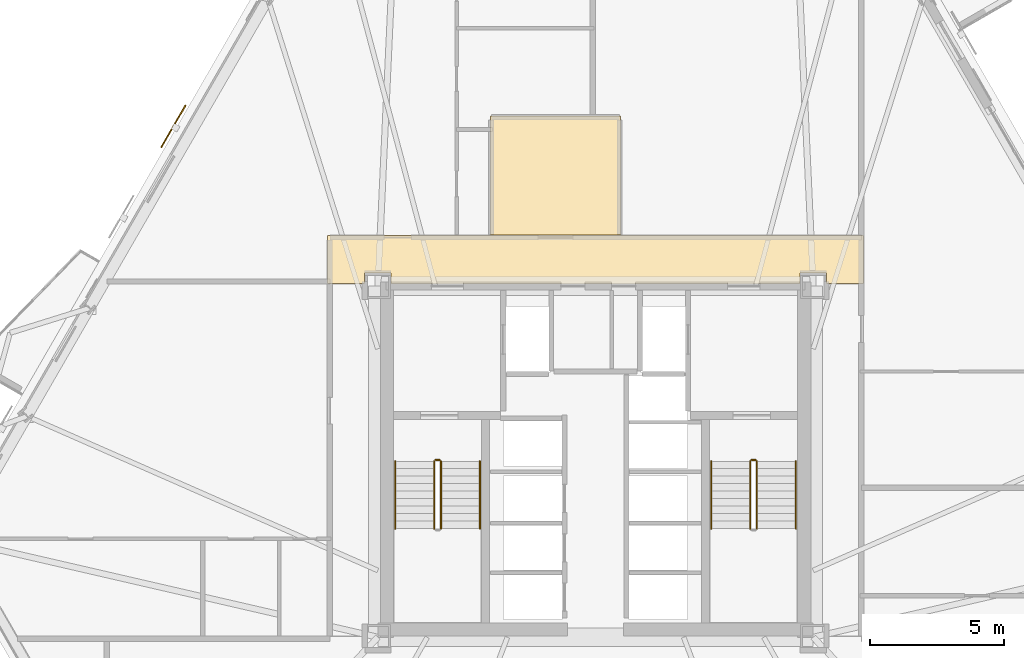
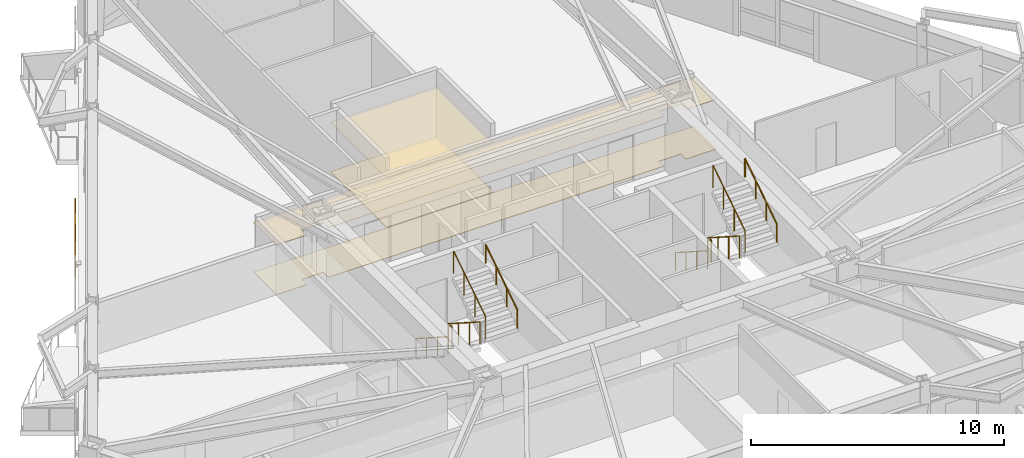
# One storey, part 14 of 15: 10 railings, 4 coverings, 1 shading device.
"""IFC4 building model written with IfcOpenShell, lengths in metres."""

from ifc_helpers import new_model, si_unit, direction, frame, origin, origin_2d, place, context, subcontext, project, spatial, polyline, rectangle, circle, outline, extrude, material, layer, layer_set, type_object, element, save


model = new_model("IFC4")

# Units and contexts
model_context = context("Model", 3, precision=1e-05, world=origin(), true_north=direction((0.0, 1.0)))
body_context = subcontext(model_context, "Body", "Model", "MODEL_VIEW")
ifc_project = project(units=[si_unit("LENGTHUNIT", "METRE"), si_unit("AREAUNIT", "SQUARE_METRE"), si_unit("VOLUMEUNIT", "CUBIC_METRE"), si_unit("PLANEANGLEUNIT", "RADIAN"), si_unit("MASSUNIT", "GRAM", prefix="KILO")], contexts=[model_context])

# Site, building, storey
site_placement = place(None, origin())
site = spatial("IfcSite", under=ifc_project, at=site_placement, CompositionType="ELEMENT")
building_placement = place(site_placement, origin())
building = spatial("IfcBuilding", under=site, at=building_placement, Name="Oramaril Tower", CompositionType="ELEMENT")
storey_placement = place(building_placement, frame((0.0, 0.0, 48.89990234375)))
storey = spatial("IfcBuildingStorey", under=building, at=storey_placement, Name="L12", CompositionType="ELEMENT", Elevation=48.89990234375)

# Coverings
ifc_material_1 = material(Name="Mineral Fibre Acoustic Ceiling")
ifc_layer_1 = layer(ifc_material_1, 0.02001953125)
ifc_layer_set_1 = layer_set([ifc_layer_1], Name="CVT-CEIL")
covering_type_1 = type_object("IfcCoveringType", Name="CVT-CEIL", PredefinedType="CEILING", material=ifc_layer_set_1)
covering_1_placement = place(storey_placement, frame((0.0, 0.0, 2.400146484375)))
element("IfcCovering", 1, at=covering_1_placement, inside=storey, type_object=covering_type_1, Name="L12 Acoustic Suspended Ceiling 2", PredefinedType="CEILING", context=body_context, shape_type="SweptSolid", body=[
    extrude(outline(polyline([(47.530029296875, 24.239990234375), (46.14501953125, 24.239990234375), (46.14501953125, 24.64501953125), (45.155029296875, 24.64501953125), (45.155029296875, 24.25), (29.844970703125, 24.25), (29.844970703125, 24.64501953125), (28.85498046875, 24.64501953125), (28.85498046875, 24.239990234375), (27.469970703125, 24.239990234375), (27.469970703125, 26.050048828125), (47.530029296875, 26.050048828125), (47.530029296875, 24.239990234375)])), origin(), (0.0, 0.0, 1.0), 0.02001953125),
])
covering_2_placement = place(storey_placement, frame((0.0, 0.0, 2.400146484375)))
element("IfcCovering", 2, at=covering_2_placement, inside=storey, type_object=covering_type_1, Name="L12 Acoustic Suspended Ceiling 5", PredefinedType="CEILING", context=body_context, shape_type="SweptSolid", body=[
    extrude(outline(polyline([(38.44189453125, 30.511962890625), (38.44189453125, 26.070068359375), (33.55810546875, 26.070068359375), (33.55810546875, 30.511962890625), (38.44189453125, 30.511962890625)])), origin(), (0.0, 0.0, 1.0), 0.02001953125),
])
ifc_material_2 = material(Name="Honed Quartzite Stone Flooring", Category="masonry")
ifc_layer_2 = layer(ifc_material_2, 0.02490234375)
ifc_layer_set_2 = layer_set([ifc_layer_2], Name="CVT-FLR")
covering_type_2 = type_object("IfcCoveringType", Name="CVT-FLR", PredefinedType="FLOORING", material=ifc_layer_set_2)
covering_3_placement = place(storey_placement, origin())
element("IfcCovering", 3, at=covering_3_placement, inside=storey, type_object=covering_type_2, Name="L12 Honed Stone Floor Finish 2", PredefinedType="FLOORING", context=body_context, shape_type="SweptSolid", body=[
    extrude(outline(polyline([(47.530029296875, 24.239990234375), (46.14501953125, 24.239990234375), (46.14501953125, 24.64501953125), (45.155029296875, 24.64501953125), (45.155029296875, 24.25), (29.844970703125, 24.25), (29.844970703125, 24.64501953125), (28.85498046875, 24.64501953125), (28.85498046875, 24.239990234375), (27.469970703125, 24.239990234375), (27.469970703125, 26.050048828125), (47.530029296875, 26.050048828125), (47.530029296875, 24.239990234375)])), origin(), (0.0, 0.0, 1.0), 0.025146484375),
])
covering_4_placement = place(storey_placement, origin())
element("IfcCovering", 4, at=covering_4_placement, inside=storey, type_object=covering_type_2, Name="L12 Honed Stone Floor Finish 5", PredefinedType="FLOORING", context=body_context, shape_type="SweptSolid", body=[
    extrude(outline(polyline([(38.44189453125, 30.511962890625), (38.44189453125, 26.070068359375), (33.55810546875, 26.070068359375), (33.55810546875, 30.511962890625), (38.44189453125, 30.511962890625)])), origin(), (0.0, 0.0, 1.0), 0.025146484375),
])

# Railings
ifc_material_3 = material(Name="Stainless Steel 316L", Category="steel")
railing_type_1 = type_object("IfcRailingType", Name="RLT-GRD", PredefinedType="GUARDRAIL", material=ifc_material_3)
railing_1_placement = place(storey_placement, frame((31.4599609375, 17.590087890625, 0.18017578125)))
element("IfcRailing", 5, at=railing_1_placement, inside=storey, type_object=railing_type_1, Name="L12 ST-1 stair guard 1", PredefinedType="GUARDRAIL", context=body_context, shape_type="SweptSolid", body=[
    extrude(circle(Radius=0.02392578125, at=origin_2d()), frame((0.0, 0.0, 1.076171875), z_axis=(0.0, -0.841199657755, 0.540724639528), x_axis=(1.0, 0.0, 0.0)), (0.0, 0.0, 1.0), 2.995849609375),
    extrude(circle(Radius=0.02099609375, at=origin_2d()), origin(), (0.0, 0.0, 1.0), 1.052001953125),
    extrude(circle(Radius=0.02099609375, at=origin_2d()), frame((0.0, -0.840087890625, 0.5400390625)), (0.0, 0.0, 1.0), 1.052001953125),
    extrude(circle(Radius=0.02099609375, at=origin_2d()), frame((0.0, -1.679931640625, 1.079833984375)), (0.0, 0.0, 1.0), 1.052001953125),
    extrude(circle(Radius=0.02099609375, at=origin_2d()), frame((0.0, -2.52001953125, 1.619873046875)), (0.0, 0.0, 1.0), 1.052001953125),
])
railing_2_placement = place(storey_placement, frame((31.7099609375, 15.070068359375, 1.97998046875)))
element("IfcRailing", 6, at=railing_2_placement, inside=storey, type_object=railing_type_1, Name="L12 ST-1 stair guard 3", PredefinedType="GUARDRAIL", context=body_context, shape_type="SweptSolid", body=[
    extrude(circle(Radius=0.02392578125, at=origin_2d()), frame((0.0, 0.0, 1.076171875), z_axis=(0.0, 0.841162588446, 0.540782303519), x_axis=(-1.0, 0.0, 0.0)), (0.0, 0.0, 1.0), 2.995849609375),
    extrude(circle(Radius=0.02099609375, at=origin_2d()), origin(), (0.0, 0.0, 1.0), 1.052001953125),
    extrude(circle(Radius=0.02099609375, at=origin_2d()), frame((0.0, 0.840087890625, 0.5400390625)), (0.0, 0.0, 1.0), 1.052001953125),
    extrude(circle(Radius=0.02099609375, at=origin_2d()), frame((0.0, 1.679931640625, 1.080078125)), (0.0, 0.0, 1.0), 1.052001953125),
    extrude(circle(Radius=0.02099609375, at=origin_2d()), frame((0.0, 2.52001953125, 1.6201171875)), (0.0, 0.0, 1.0), 1.052001953125),
])
railing_3_placement = place(storey_placement, frame((31.510009765625, 17.639892578125, 0.0)))
element("IfcRailing", 7, at=railing_3_placement, inside=storey, type_object=railing_type_1, Name="L12 ST-1 stair guard 4", PredefinedType="GUARDRAIL", context=body_context, shape_type="SweptSolid", body=[
    extrude(circle(Radius=0.02392578125, at=origin_2d()), frame((0.0, 0.0, 1.076171875), z_axis=(1.0, 0.0, 0.0), x_axis=(0.0, 1.0, 0.0)), (0.0, 0.0, 1.0), 0.14990234375),
    extrude(circle(Radius=0.02099609375, at=origin_2d()), origin(), (0.0, 0.0, 1.0), 1.052001953125),
    extrude(circle(Radius=0.02099609375, at=origin_2d()), frame((0.14990234375, 0.0, 0.0)), (0.0, 0.0, 1.0), 1.052001953125),
])
railing_4_placement = place(storey_placement, frame((43.2900390625, 17.590087890625, 0.18017578125)))
element("IfcRailing", 8, at=railing_4_placement, inside=storey, type_object=railing_type_1, Name="L12 ST-2 stair guard 1", PredefinedType="GUARDRAIL", context=body_context, shape_type="SweptSolid", body=[
    extrude(circle(Radius=0.02392578125, at=origin_2d()), frame((0.0, 0.0, 1.076171875), z_axis=(0.0, -0.841199657755, 0.540724639528), x_axis=(1.0, 0.0, 0.0)), (0.0, 0.0, 1.0), 2.995849609375),
    extrude(circle(Radius=0.02099609375, at=origin_2d()), origin(), (0.0, 0.0, 1.0), 1.052001953125),
    extrude(circle(Radius=0.02099609375, at=origin_2d()), frame((0.0, -0.840087890625, 0.5400390625)), (0.0, 0.0, 1.0), 1.052001953125),
    extrude(circle(Radius=0.02099609375, at=origin_2d()), frame((0.0, -1.679931640625, 1.079833984375)), (0.0, 0.0, 1.0), 1.052001953125),
    extrude(circle(Radius=0.02099609375, at=origin_2d()), frame((0.0, -2.52001953125, 1.619873046875)), (0.0, 0.0, 1.0), 1.052001953125),
])
railing_5_placement = place(storey_placement, frame((43.5400390625, 15.070068359375, 1.97998046875)))
element("IfcRailing", 9, at=railing_5_placement, inside=storey, type_object=railing_type_1, Name="L12 ST-2 stair guard 3", PredefinedType="GUARDRAIL", context=body_context, shape_type="SweptSolid", body=[
    extrude(circle(Radius=0.02392578125, at=origin_2d()), frame((0.0, 0.0, 1.076171875), z_axis=(0.0, 0.841162588446, 0.540782303519), x_axis=(-1.0, 0.0, 0.0)), (0.0, 0.0, 1.0), 2.995849609375),
    extrude(circle(Radius=0.02099609375, at=origin_2d()), origin(), (0.0, 0.0, 1.0), 1.052001953125),
    extrude(circle(Radius=0.02099609375, at=origin_2d()), frame((0.0, 0.840087890625, 0.5400390625)), (0.0, 0.0, 1.0), 1.052001953125),
    extrude(circle(Radius=0.02099609375, at=origin_2d()), frame((0.0, 1.679931640625, 1.080078125)), (0.0, 0.0, 1.0), 1.052001953125),
    extrude(circle(Radius=0.02099609375, at=origin_2d()), frame((0.0, 2.52001953125, 1.6201171875)), (0.0, 0.0, 1.0), 1.052001953125),
])
railing_6_placement = place(storey_placement, frame((43.340087890625, 17.639892578125, 0.0)))
element("IfcRailing", 10, at=railing_6_placement, inside=storey, type_object=railing_type_1, Name="L12 ST-2 stair guard 4", PredefinedType="GUARDRAIL", context=body_context, shape_type="SweptSolid", body=[
    extrude(circle(Radius=0.02392578125, at=origin_2d()), frame((0.0, 0.0, 1.076171875), z_axis=(1.0, 0.0, 0.0), x_axis=(0.0, 1.0, 0.0)), (0.0, 0.0, 1.0), 0.14990234375),
    extrude(circle(Radius=0.02099609375, at=origin_2d()), origin(), (0.0, 0.0, 1.0), 1.052001953125),
    extrude(circle(Radius=0.02099609375, at=origin_2d()), frame((0.14990234375, 0.0, 0.0)), (0.0, 0.0, 1.0), 1.052001953125),
])
ifc_material_4 = material(Name="Stainless Steel 316L", Category="steel")
railing_type_2 = type_object("IfcRailingType", Name="RLT-HND", PredefinedType="HANDRAIL", material=ifc_material_4)
railing_7_placement = place(storey_placement, frame((30.0, 17.590087890625, 0.18017578125)))
element("IfcRailing", 11, at=railing_7_placement, inside=storey, type_object=railing_type_2, Name="L12 ST-1 stair handrail 1", PredefinedType="HANDRAIL", context=body_context, shape_type="SweptSolid", body=[
    extrude(circle(Radius=0.02392578125, at=origin_2d()), frame((0.0, 0.0, 0.8759765625), z_axis=(0.0, -0.841199657755, 0.540724639528), x_axis=(1.0, 0.0, 0.0)), (0.0, 0.0, 1.0), 2.995849609375),
    extrude(circle(Radius=0.02099609375, at=origin_2d()), origin(), (0.0, 0.0, 1.0), 0.851806640625),
    extrude(circle(Radius=0.02099609375, at=origin_2d()), frame((0.0, -0.840087890625, 0.5400390625)), (0.0, 0.0, 1.0), 0.851806640625),
    extrude(circle(Radius=0.02099609375, at=origin_2d()), frame((0.0, -1.679931640625, 1.079833984375)), (0.0, 0.0, 1.0), 0.851806640625),
    extrude(circle(Radius=0.02099609375, at=origin_2d()), frame((0.0, -2.52001953125, 1.619873046875)), (0.0, 0.0, 1.0), 0.851806640625),
])
railing_8_placement = place(storey_placement, frame((33.169921875, 15.070068359375, 1.97998046875)))
element("IfcRailing", 12, at=railing_8_placement, inside=storey, type_object=railing_type_2, Name="L12 ST-1 stair handrail 2", PredefinedType="HANDRAIL", context=body_context, shape_type="SweptSolid", body=[
    extrude(circle(Radius=0.02392578125, at=origin_2d()), frame((0.0, 0.0, 0.8759765625), z_axis=(0.0, 0.841162588446, 0.540782303519), x_axis=(-1.0, 0.0, 0.0)), (0.0, 0.0, 1.0), 2.995849609375),
    extrude(circle(Radius=0.02099609375, at=origin_2d()), origin(), (0.0, 0.0, 1.0), 0.851806640625),
    extrude(circle(Radius=0.02099609375, at=origin_2d()), frame((0.0, 0.840087890625, 0.5400390625)), (0.0, 0.0, 1.0), 0.851806640625),
    extrude(circle(Radius=0.02099609375, at=origin_2d()), frame((0.0, 1.679931640625, 1.080078125)), (0.0, 0.0, 1.0), 0.851806640625),
    extrude(circle(Radius=0.02099609375, at=origin_2d()), frame((0.0, 2.52001953125, 1.6201171875)), (0.0, 0.0, 1.0), 0.851806640625),
])
railing_9_placement = place(storey_placement, frame((41.830078125, 17.590087890625, 0.18017578125)))
element("IfcRailing", 13, at=railing_9_placement, inside=storey, type_object=railing_type_2, Name="L12 ST-2 stair handrail 1", PredefinedType="HANDRAIL", context=body_context, shape_type="SweptSolid", body=[
    extrude(circle(Radius=0.02392578125, at=origin_2d()), frame((0.0, 0.0, 0.8759765625), z_axis=(0.0, -0.841199657755, 0.540724639528), x_axis=(1.0, 0.0, 0.0)), (0.0, 0.0, 1.0), 2.995849609375),
    extrude(circle(Radius=0.02099609375, at=origin_2d()), origin(), (0.0, 0.0, 1.0), 0.851806640625),
    extrude(circle(Radius=0.02099609375, at=origin_2d()), frame((0.0, -0.840087890625, 0.5400390625)), (0.0, 0.0, 1.0), 0.851806640625),
    extrude(circle(Radius=0.02099609375, at=origin_2d()), frame((0.0, -1.679931640625, 1.079833984375)), (0.0, 0.0, 1.0), 0.851806640625),
    extrude(circle(Radius=0.02099609375, at=origin_2d()), frame((0.0, -2.52001953125, 1.619873046875)), (0.0, 0.0, 1.0), 0.851806640625),
])
railing_10_placement = place(storey_placement, frame((45.0, 15.070068359375, 1.97998046875)))
element("IfcRailing", 14, at=railing_10_placement, inside=storey, type_object=railing_type_2, Name="L12 ST-2 stair handrail 2", PredefinedType="HANDRAIL", context=body_context, shape_type="SweptSolid", body=[
    extrude(circle(Radius=0.02392578125, at=origin_2d()), frame((0.0, 0.0, 0.8759765625), z_axis=(0.0, 0.841162588446, 0.540782303519), x_axis=(-1.0, 0.0, 0.0)), (0.0, 0.0, 1.0), 2.995849609375),
    extrude(circle(Radius=0.02099609375, at=origin_2d()), origin(), (0.0, 0.0, 1.0), 0.851806640625),
    extrude(circle(Radius=0.02099609375, at=origin_2d()), frame((0.0, 0.840087890625, 0.5400390625)), (0.0, 0.0, 1.0), 0.851806640625),
    extrude(circle(Radius=0.02099609375, at=origin_2d()), frame((0.0, 1.679931640625, 1.080078125)), (0.0, 0.0, 1.0), 0.851806640625),
    extrude(circle(Radius=0.02099609375, at=origin_2d()), frame((0.0, 2.52001953125, 1.6201171875)), (0.0, 0.0, 1.0), 0.851806640625),
])

# Shading device
shading_device_placement = place(storey_placement, frame((21.694580078125, 30.127685546875, -0.02001953125), z_axis=(0.0, 0.0, 1.0), x_axis=(-0.5, -0.866025403784, 0.0)))
element("IfcShadingDevice", 15, at=shading_device_placement, inside=storey, Name="L12 Perforated Ceramic Solar Screen", ObjectType="SCREEN", PredefinedType="USERDEFINED", context=body_context, shape_type="SweptSolid", body=[
    extrude(rectangle(XDim=1.8330078125, YDim=0.050048828125, at=origin_2d()), origin(), (0.0, 0.0, 1.0), 2.493896484375),
])

save(model, "model.ifc")
